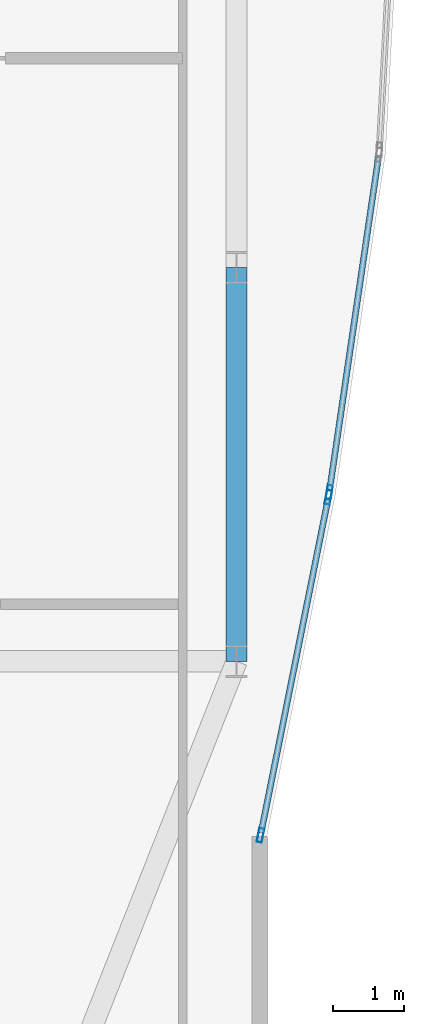
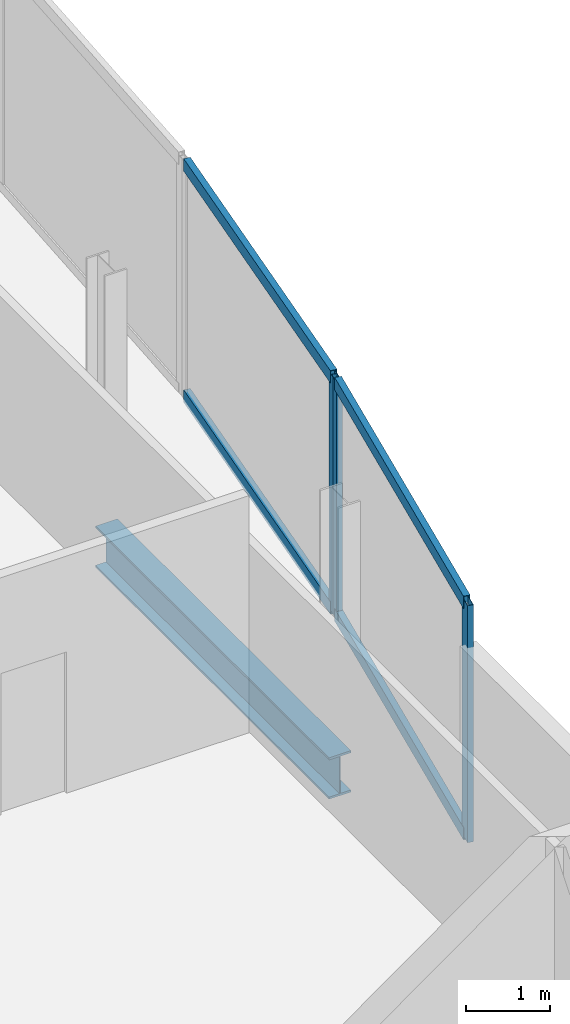
# One storey, part 16 of 30: 7 members, 1 beam, 2 elements without a shape of their own.
"""IFC4 building model written with IfcOpenShell, lengths in metres."""

from ifc_helpers import new_model, si_unit, direction, frame, origin, origin_2d, place, context, subcontext, project, spatial, hollow_rectangle, i_section, extrude, material, material_profile, profile_set, type_object, element, aggregate, save


model = new_model("IFC4")

# Units and contexts
model_context = context("Model", 3, precision=1e-05, world=origin(), true_north=direction((0.0, 1.0)))
body_context = subcontext(model_context, "Body", "Model", "MODEL_VIEW")
ifc_project = project(units=[si_unit("LENGTHUNIT", "METRE"), si_unit("AREAUNIT", "SQUARE_METRE"), si_unit("VOLUMEUNIT", "CUBIC_METRE"), si_unit("PLANEANGLEUNIT", "RADIAN"), si_unit("MASSUNIT", "GRAM", prefix="KILO")], contexts=[model_context])

# Site, building, storey
site_placement = place(None, origin())
site = spatial("IfcSite", under=ifc_project, at=site_placement, CompositionType="ELEMENT")
building_placement = place(site_placement, origin())
building = spatial("IfcBuilding", under=site, at=building_placement, Name="Khoronbel Lancet Exchange", CompositionType="ELEMENT")
storey_placement = place(building_placement, frame((0.0, 0.0, 206.60009765625)))
storey = spatial("IfcBuildingStorey", under=building, at=storey_placement, Name="L52", CompositionType="ELEMENT", Elevation=206.60009765625)

# Beam
ifc_material_1 = material(Name="Steel S355", Category="steel")
ifc_material_profile_1 = material_profile(ifc_material_1, i_section(OverallWidth=0.300048828125, OverallDepth=0.60009765625, WebThickness=0.015380859375, FlangeThickness=0.030029296875, at=origin_2d()), Name="HEB 600")
ifc_profile_set_1 = profile_set([ifc_material_profile_1], Name="Steel S355")
beam_type = type_object("IfcBeamType", Name="BM-BSP2", PredefinedType="SPANDREL", material=ifc_profile_set_1)
beam_placement = place(storey_placement, frame((65.6298828125, 19.199951171875, -0.460205078125), z_axis=(0.0, 1.0, 0.0), x_axis=(-1.0, 0.0, 0.0)))
element("IfcBeam", 1, at=beam_placement, inside=storey, type_object=beam_type, Name="Level L52 perimeter spandrel beam SP11", PredefinedType="SPANDREL", context=body_context, shape_type="SweptSolid", body=[
    extrude(i_section(OverallWidth=0.300048828125, OverallDepth=0.60009765625, WebThickness=0.015380859375, FlangeThickness=0.030029296875, at=origin_2d()), origin(), (0.0, 0.0, 1.0), 5.550048828125),
])

# Curtain wall, member
ifc_material_2 = material(Name="Low-E Solar Control Insulating Glass", Category="glass")
curtain_wall_type = type_object("IfcCurtainWallType", Name="CW-4", PredefinedType="NOTDEFINED", material=ifc_material_2)
curtain_wall_1_placement = place(storey_placement, origin())
curtain_wall_1 = element("IfcCurtainWall", 2, at=curtain_wall_1_placement, inside=storey, type_object=curtain_wall_type, Name="Unitised curtain wall CW-L52-E21", PredefinedType="NOTDEFINED")
ifc_material_3 = material(Name="Bronze-Anodised Aluminium 6063-T6", Category="aluminium")
ifc_material_profile_2 = material_profile(ifc_material_3, hollow_rectangle(XDim=0.074951171875, YDim=0.199951171875, WallThickness=0.0048828125, at=origin_2d()), Name="ALU MULLION 75x200")
ifc_profile_set_2 = profile_set([ifc_material_profile_2], Name="Bronze-Anodised Aluminium 6063-T6")
member_type_1 = type_object("IfcMemberType", Name="MEM-CWM2", PredefinedType="MULLION", material=ifc_profile_set_2)
member_1_placement = place(storey_placement, frame((66.936767578125, 21.585693359375, 0.0), z_axis=(0.0, 0.0, 1.0), x_axis=(0.989378391213, -0.145362990476, 0.0)))
member_1 = element("IfcMember", 3, at=member_1_placement, type_object=member_type_1, Name="CW4 mullion 2", PredefinedType="MULLION", context=body_context, shape_type="SweptSolid", body=[
    extrude(hollow_rectangle(XDim=0.074951171875, YDim=0.199951171875, WallThickness=0.0048828125, at=origin_2d()), origin(), (0.0, 0.0, 1.0), 3.43994140625),
])

# Curtain wall, members
curtain_wall_2_placement = place(storey_placement, origin())
curtain_wall_2 = element("IfcCurtainWall", 4, at=curtain_wall_2_placement, inside=storey, type_object=curtain_wall_type, Name="Unitised curtain wall CW-L52-E22", PredefinedType="NOTDEFINED")
member_2_placement = place(storey_placement, frame((66.923828125, 21.511962890625, 0.0), z_axis=(0.0, 0.0, 1.0), x_axis=(0.980454248694, -0.196747214001, 0.0)))
member_2 = element("IfcMember", 5, at=member_2_placement, type_object=member_type_1, Name="CW4 mullion 1", PredefinedType="MULLION", context=body_context, shape_type="SweptSolid", body=[
    extrude(hollow_rectangle(XDim=0.074951171875, YDim=0.199951171875, WallThickness=0.0048828125, at=origin_2d()), origin(), (0.0, 0.0, 1.0), 3.43994140625),
])
member_3_placement = place(storey_placement, frame((65.96728515625, 16.74560546875, 0.0), z_axis=(0.0, 0.0, 1.0), x_axis=(0.980454248694, -0.196747214001, 0.0)))
member_3 = element("IfcMember", 6, at=member_3_placement, type_object=member_type_1, Name="CW4 mullion 2", PredefinedType="MULLION", context=body_context, shape_type="SweptSolid", body=[
    extrude(hollow_rectangle(XDim=0.074951171875, YDim=0.199951171875, WallThickness=0.0048828125, at=origin_2d()), origin(), (0.0, 0.0, 1.0), 3.43994140625),
])

# Member
ifc_material_profile_3 = material_profile(ifc_material_3, hollow_rectangle(XDim=0.0849609375, YDim=0.179931640625, WallThickness=0.0048828125, at=origin_2d()), Name="ALU TRANSOM 85x180")
ifc_profile_set_3 = profile_set([ifc_material_profile_3], Name="Bronze-Anodised Aluminium 6063-T6")
member_type_2 = type_object("IfcMemberType", Name="MEM-CWT1", PredefinedType="USERDEFINED", material=ifc_profile_set_3)
member_4_placement = place(storey_placement, frame((67.62939453125, 26.301513671875, 0.04248046875), z_axis=(-0.145330495171, -0.989383164994, 0.0), x_axis=(0.989383164994, -0.145330495171, 0.0)))
member_4 = element("IfcMember", 7, at=member_4_placement, type_object=member_type_2, Name="CW4 transom 1.1", ObjectType="TRANSOM", PredefinedType="USERDEFINED", context=body_context, shape_type="SweptSolid", body=[
    extrude(hollow_rectangle(XDim=0.0849609375, YDim=0.179931640625, WallThickness=0.0048828125, at=origin_2d()), origin(), (0.0, 0.0, 1.0), 4.72900390625),
])

member_5_placement = place(storey_placement, frame((67.62939453125, 26.301513671875, 3.3974609375), z_axis=(-0.145330495171, -0.989383164994, 0.0), x_axis=(0.989383164994, -0.145330495171, 0.0)))
member_5 = element("IfcMember", 8, at=member_5_placement, type_object=member_type_2, Name="CW4 transom 1.2", ObjectType="TRANSOM", PredefinedType="USERDEFINED", context=body_context, shape_type="SweptSolid", body=[
    extrude(hollow_rectangle(XDim=0.0849609375, YDim=0.179931640625, WallThickness=0.0048828125, at=origin_2d()), origin(), (0.0, 0.0, 1.0), 4.72900390625),
])

aggregate(curtain_wall_1, [member_1, member_4, member_5])

member_6_placement = place(storey_placement, frame((66.91650390625, 21.47509765625, 0.04248046875), z_axis=(-0.196743905015, -0.980454912701, 0.0), x_axis=(0.980454912701, -0.196743905015, 0.0)))
member_6 = element("IfcMember", 9, at=member_6_placement, type_object=member_type_2, Name="CW4 transom 1.1", ObjectType="TRANSOM", PredefinedType="USERDEFINED", context=body_context, shape_type="SweptSolid", body=[
    extrude(hollow_rectangle(XDim=0.0849609375, YDim=0.179931640625, WallThickness=0.0048828125, at=origin_2d()), origin(), (0.0, 0.0, 1.0), 4.7861328125),
])

member_7_placement = place(storey_placement, frame((66.91650390625, 21.47509765625, 3.3974609375), z_axis=(-0.196743905015, -0.980454912701, 0.0), x_axis=(0.980454912701, -0.196743905015, 0.0)))
member_7 = element("IfcMember", 10, at=member_7_placement, type_object=member_type_2, Name="CW4 transom 1.2", ObjectType="TRANSOM", PredefinedType="USERDEFINED", context=body_context, shape_type="SweptSolid", body=[
    extrude(hollow_rectangle(XDim=0.0849609375, YDim=0.179931640625, WallThickness=0.0048828125, at=origin_2d()), origin(), (0.0, 0.0, 1.0), 4.7861328125),
])

aggregate(curtain_wall_2, [member_2, member_3, member_6, member_7])

save(model, "model.ifc")
